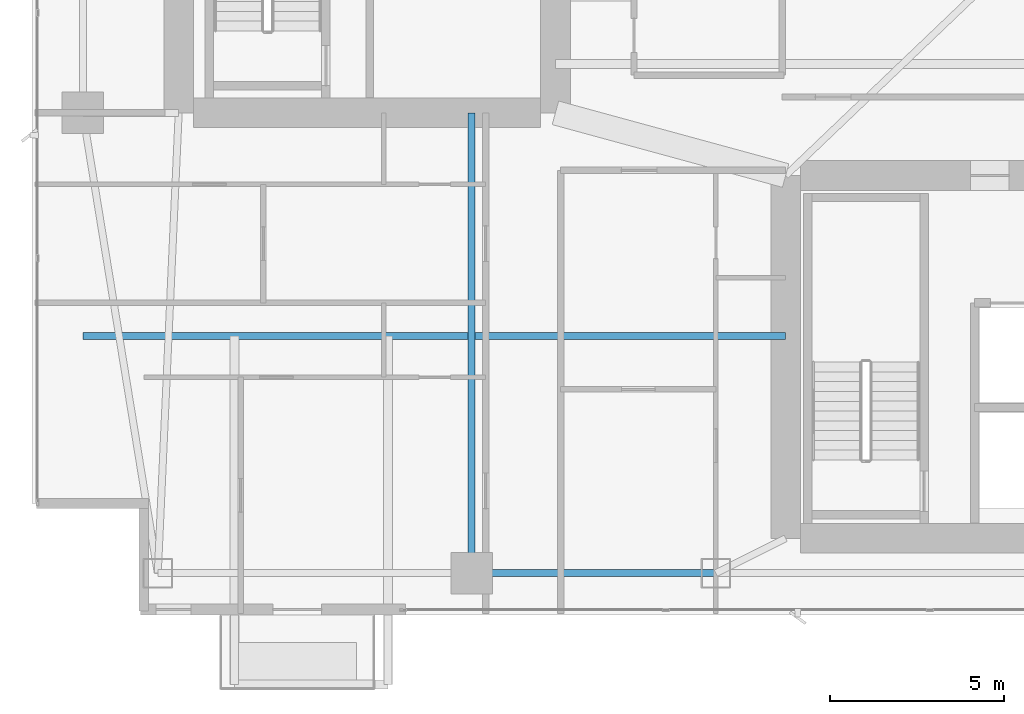
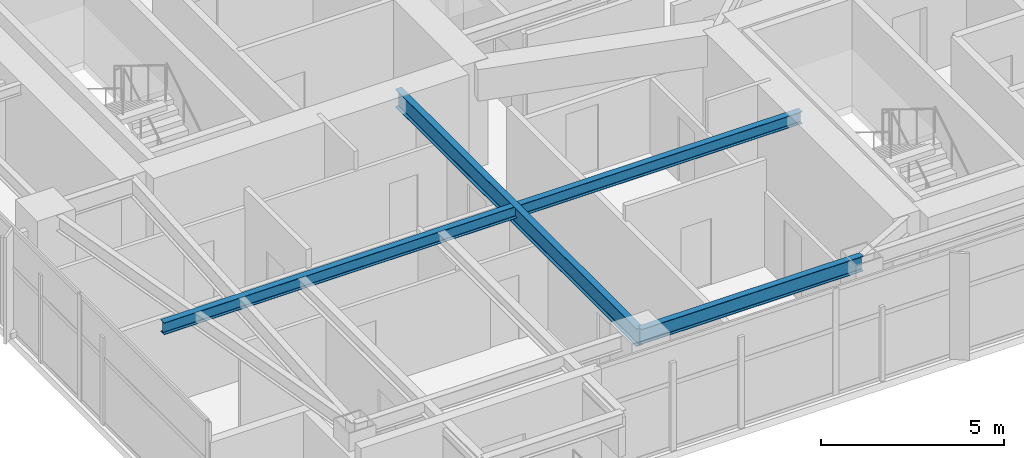
# One storey, part 5 of 29: 3 beams.
"""IFC4 building model written with IfcOpenShell, lengths in metres."""

from ifc_helpers import new_model, si_unit, direction, frame, origin, origin_2d, place, context, subcontext, project, spatial, i_section, extrude, material, material_profile, profile_set, type_object, element, save


model = new_model("IFC4")

# Units and contexts
model_context = context("Model", 3, precision=1e-05, world=origin(), true_north=direction((0.0, 1.0)))
body_context = subcontext(model_context, "Body", "Model", "MODEL_VIEW")
ifc_project = project(units=[si_unit("LENGTHUNIT", "METRE"), si_unit("AREAUNIT", "SQUARE_METRE"), si_unit("VOLUMEUNIT", "CUBIC_METRE"), si_unit("PLANEANGLEUNIT", "RADIAN"), si_unit("MASSUNIT", "GRAM", prefix="KILO")], contexts=[model_context])

# Site, building, storey
site_placement = place(None, origin())
site = spatial("IfcSite", under=ifc_project, at=site_placement, CompositionType="ELEMENT")
building_placement = place(site_placement, origin())
building = spatial("IfcBuilding", under=site, at=building_placement, Name="Calvorn Quay Hotel", CompositionType="ELEMENT")
storey_placement = place(building_placement, frame((0.0, 0.0, 171.300048828125)))
storey = spatial("IfcBuildingStorey", under=building, at=storey_placement, Name="L42", CompositionType="ELEMENT", Elevation=171.300048828125)

# Beams
ifc_material_1 = material(Name="Steel Q355B", Category="steel")
ifc_material_profile_1 = material_profile(ifc_material_1, i_section(OverallWidth=0.199951171875, OverallDepth=0.60009765625, WebThickness=0.010986328125, FlangeThickness=0.01708984375, FilletRadius=0.01806640625, at=origin_2d()), Name="HN600x200x11x17")
ifc_profile_set_1 = profile_set([ifc_material_profile_1], Name="Steel Q355B")
beam_type_1 = type_object("IfcBeamType", Name="BM-GIRD-TYP", PredefinedType="BEAM", material=ifc_profile_set_1)
beam_1_placement = place(storey_placement, frame((12.60009765625, 3.60009765625, 3.239990234375), z_axis=(0.0, 1.0, 0.0), x_axis=(-1.0, 0.0, 0.0)))
element("IfcBeam", 1, at=beam_1_placement, inside=storey, type_object=beam_type_1, Name="Beam BG-L42-S1", PredefinedType="BEAM", context=body_context, shape_type="SweptSolid", body=[
    extrude(i_section(OverallWidth=0.199951171875, OverallDepth=0.60009765625, WebThickness=0.010986328125, FlangeThickness=0.01708984375, FilletRadius=0.01806640625, at=origin_2d()), origin(), (0.0, 0.0, 1.0), 13.199951171875),
])
ifc_material_2 = material(Name="Steel Q355B", Category="steel")
ifc_material_profile_2 = material_profile(ifc_material_2, i_section(OverallWidth=0.199951171875, OverallDepth=0.39990234375, WebThickness=0.008056640625, FlangeThickness=0.012939453125, FilletRadius=0.01611328125, at=origin_2d()), Name="HN400x200x8x13")
ifc_profile_set_2 = profile_set([ifc_material_profile_2], Name="Steel Q355B")
beam_type_2 = type_object("IfcBeamType", Name="BM-JOIST-TYP", PredefinedType="JOIST", material=ifc_profile_set_2)
beam_2_placement = place(storey_placement, frame((1.449951171875, 10.39990234375, 3.33984375), z_axis=(1.0, 0.0, 0.0), x_axis=(0.0, 1.0, 0.0)))
element("IfcBeam", 2, at=beam_2_placement, inside=storey, type_object=beam_type_2, Name="Beam BJ-L42-W1", PredefinedType="JOIST", context=body_context, shape_type="SweptSolid", body=[
    extrude(i_section(OverallWidth=0.199951171875, OverallDepth=0.39990234375, WebThickness=0.008056640625, FlangeThickness=0.012939453125, FilletRadius=0.01611328125, at=origin_2d()), origin(), (0.0, 0.0, 1.0), 20.150146484375),
])
ifc_material_3 = material(Name="Steel Q355B", Category="steel")
ifc_material_profile_3 = material_profile(ifc_material_3, i_section(OverallWidth=0.199951171875, OverallDepth=0.5, WebThickness=0.010009765625, FlangeThickness=0.01611328125, FilletRadius=0.01611328125, at=origin_2d()), Name="HN500x200x10x16")
ifc_profile_set_3 = profile_set([ifc_material_profile_3], Name="Steel Q355B")
beam_type_3 = type_object("IfcBeamType", Name="BM-SPANDREL-Z1", PredefinedType="SPANDREL", material=ifc_profile_set_3)
beam_3_placement = place(storey_placement, frame((12.60009765625, 3.60009765625, 3.2900390625), z_axis=(1.0, 0.0, 0.0), x_axis=(0.0, 1.0, 0.0)))
element("IfcBeam", 3, at=beam_3_placement, inside=storey, type_object=beam_type_3, Name="Beam BSP-L42-S2", PredefinedType="SPANDREL", context=body_context, shape_type="SweptSolid", body=[
    extrude(i_section(OverallWidth=0.199951171875, OverallDepth=0.5, WebThickness=0.010009765625, FlangeThickness=0.01611328125, FilletRadius=0.01611328125, at=origin_2d()), origin(), (0.0, 0.0, 1.0), 7.0),
])

save(model, "model.ifc")
